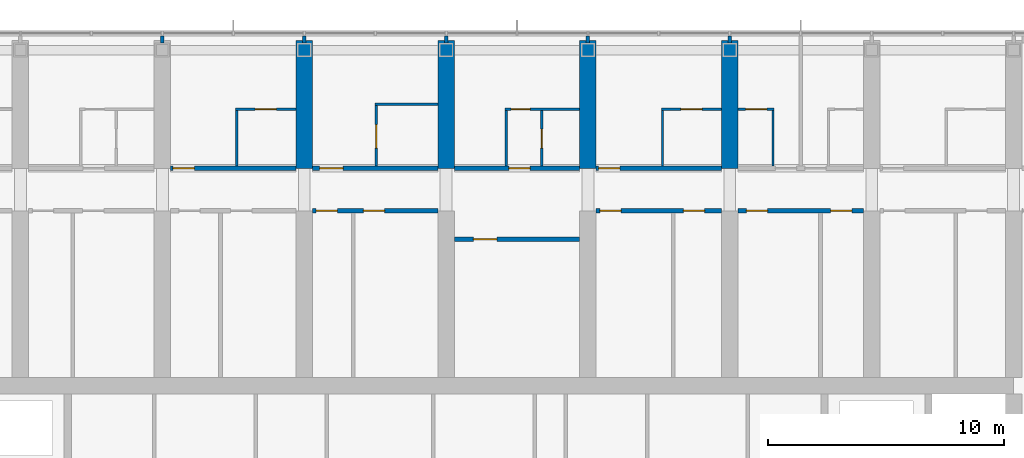
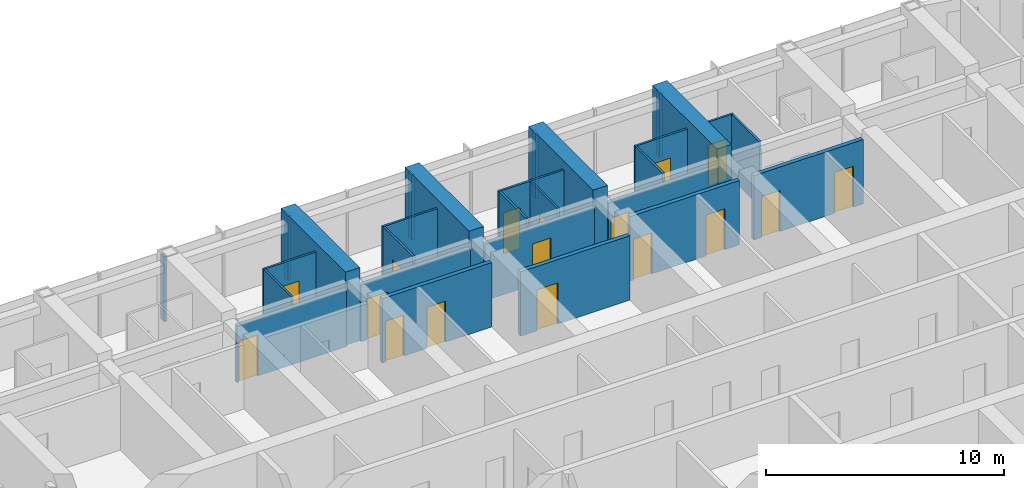
# One storey, part 16 of 23: 28 walls, 17 doors, 17 openings.
"""IFC4 building model written with IfcOpenShell, lengths in metres."""

from ifc_helpers import new_model, si_unit, direction, frame, frame_2d, origin, place, context, subcontext, project, spatial, polyline, rectangle, outline, extrude, material, layer, layer_set, type_object, element, fill, save


model = new_model("IFC4")

# Units and contexts
model_context = context("Model", 3, precision=1e-05, world=origin(), true_north=direction((0.0, 1.0)))
body_context = subcontext(model_context, "Body", "Model", "MODEL_VIEW")
ifc_project = project(units=[si_unit("LENGTHUNIT", "METRE"), si_unit("AREAUNIT", "SQUARE_METRE"), si_unit("VOLUMEUNIT", "CUBIC_METRE"), si_unit("PLANEANGLEUNIT", "RADIAN"), si_unit("MASSUNIT", "GRAM", prefix="KILO")], contexts=[model_context])

# Site, building, storey
site_placement = place(None, origin())
site = spatial("IfcSite", under=ifc_project, at=site_placement, CompositionType="ELEMENT")
building_placement = place(site_placement, origin())
building = spatial("IfcBuilding", under=site, at=building_placement, Name="Orbita Commons", CompositionType="ELEMENT")
storey_placement = place(building_placement, frame((0.0, 0.0, 212.800048828125)))
storey = spatial("IfcBuildingStorey", under=building, at=storey_placement, Name="L52", CompositionType="ELEMENT", Elevation=212.800048828125)

# Wall, opening, door
ifc_material_1 = material(Name="Concrete blockwork", Category="masonry")
ifc_layer_1 = layer(ifc_material_1, 0.199951171875)
ifc_layer_set_1 = layer_set([ifc_layer_1], Name="Concrete blockwork")
wall_type_1 = type_object("IfcWallType", Name="Corridor wall 200 blockwork", PredefinedType="SOLIDWALL", material=ifc_layer_set_1)
wall_1_placement = place(storey_placement, frame((30.35009765625, 47.39990234375, 0.0), z_axis=(0.0, 0.0, 1.0), x_axis=(1.0, 0.0, 0.0)))
wall_1 = element("IfcWall", 1, at=wall_1_placement, inside=storey, type_object=wall_type_1, Name="Corridor wall 200 blockwork L52", PredefinedType="SOLIDWALL", context=body_context, shape_type="SweptSolid", body=[
    extrude(outline(polyline([(0.0, 0.0), (5.2998046875, 0.0), (5.300048828125, 2.89990234375), (0.0, 2.89990234375), (0.0, 0.0)])), frame((0.0, 0.10009765625, 0.0), z_axis=(0.0, -1.0, 0.0), x_axis=(1.0, 0.0, 0.0)), (0.0, 0.0, 1.0), 0.199951171875),
])
opening_1_placement = place(wall_1_placement, frame((0.10009765625, 0.0, 0.0)))
opening_1 = element("IfcOpeningElement", 2, at=opening_1_placement, cuts=wall_1, Name="Opening D11", PredefinedType="OPENING", context=body_context, shape_type="SweptSolid", body=[
    extrude(rectangle(XDim=0.89990234375, YDim=2.10009765625, at=frame_2d((0.449951171875, 1.050048828125))), frame((0.0, 0.10986328125, 0.0), z_axis=(0.0, -1.0, 0.0), x_axis=(1.0, 0.0, 0.0)), (0.0, 0.0, 1.0), 0.219970703125),
])
ifc_material_2 = material(Name="Steel-faced fire door leaf", Category="steel")
door_type_1 = type_object("IfcDoorType", Name="Corridor door 20 min 900x2100", OperationType="SINGLE_SWING_LEFT", PredefinedType="DOOR", material=ifc_material_2)
door_1_placement = place(opening_1_placement, origin())
door_1 = element("IfcDoor", 3, at=door_1_placement, inside=storey, type_object=door_type_1, Name="Studio apartment with kitchenette L52-N04 door", OperationType="SINGLE_SWING_LEFT", OverallHeight=2.10009765625, OverallWidth=0.89990234375, PredefinedType="DOOR", context=body_context, shape_type="SweptSolid", body=[
    extrude(rectangle(XDim=0.89990234375, YDim=2.10009765625, at=frame_2d((0.449951171875, 1.050048828125))), frame((0.0, 0.02490234375, 0.0), z_axis=(0.0, -1.0, 0.0), x_axis=(1.0, 0.0, 0.0)), (0.0, 0.0, 1.0), 0.050048828125),
])
fill(opening_1, door_1)

wall_2_placement = place(storey_placement, frame((36.35009765625, 47.39990234375, 0.0), z_axis=(0.0, 0.0, 1.0), x_axis=(1.0, 0.0, 0.0)))
wall_2 = element("IfcWall", 4, at=wall_2_placement, inside=storey, type_object=wall_type_1, Name="Corridor wall 200 blockwork L52", PredefinedType="SOLIDWALL", context=body_context, shape_type="SweptSolid", body=[
    extrude(outline(polyline([(0.0, 0.0), (5.2998046875, 0.0), (5.300048828125, 2.89990234375), (0.0, 2.89990234375), (0.0, 0.0)])), frame((0.0, 0.10009765625, 0.0), z_axis=(0.0, -1.0, 0.0), x_axis=(1.0, 0.0, 0.0)), (0.0, 0.0, 1.0), 0.199951171875),
])
opening_2_placement = place(wall_2_placement, frame((0.300048828125, 0.0, 0.0)))
opening_2 = element("IfcOpeningElement", 5, at=opening_2_placement, cuts=wall_2, Name="Opening D06", PredefinedType="OPENING", context=body_context, shape_type="SweptSolid", body=[
    extrude(rectangle(XDim=1.0, YDim=2.10009765625, at=frame_2d((0.5, 1.050048828125))), frame((0.0, 0.10986328125, 0.0), z_axis=(0.0, -1.0, 0.0), x_axis=(1.0, 0.0, 0.0)), (0.0, 0.0, 1.0), 0.219970703125),
])
ifc_material_3 = material(Name="Steel-faced fire door leaf", Category="steel")
door_type_2 = type_object("IfcDoorType", Name="Corridor door 20 min 1000x2100", OperationType="SINGLE_SWING_LEFT", PredefinedType="DOOR", material=ifc_material_3)
door_2_placement = place(opening_2_placement, origin())
door_2 = element("IfcDoor", 6, at=door_2_placement, inside=storey, type_object=door_type_2, Name="Accessible bedroom L52-N06 door", OperationType="SINGLE_SWING_LEFT", OverallHeight=2.10009765625, OverallWidth=1.0, PredefinedType="DOOR", context=body_context, shape_type="SweptSolid", body=[
    extrude(rectangle(XDim=1.0, YDim=2.10009765625, at=frame_2d((0.5, 1.050048828125))), frame((0.0, 0.02490234375, 0.0), z_axis=(0.0, -1.0, 0.0), x_axis=(1.0, 0.0, 0.0)), (0.0, 0.0, 1.0), 0.050048828125),
])
fill(opening_2, door_2)

wall_3_placement = place(storey_placement, frame((42.35009765625, 47.39990234375, 0.0), z_axis=(0.0, 0.0, 1.0), x_axis=(1.0, 0.0, 0.0)))
wall_3 = element("IfcWall", 7, at=wall_3_placement, inside=storey, type_object=wall_type_1, Name="Corridor wall 200 blockwork L52", PredefinedType="SOLIDWALL", context=body_context, shape_type="SweptSolid", body=[
    extrude(outline(polyline([(0.0, 0.0), (5.2998046875, 0.0), (5.300048828125, 2.89990234375), (0.0, 2.89990234375), (0.0, 0.0)])), frame((0.0, 0.10009765625, 0.0), z_axis=(0.0, -1.0, 0.0), x_axis=(1.0, 0.0, 0.0)), (0.0, 0.0, 1.0), 0.199951171875),
])
opening_3_placement = place(wall_3_placement, frame((2.300048828125, 0.0, 0.0)))
opening_3 = element("IfcOpeningElement", 8, at=opening_3_placement, cuts=wall_3, Name="Opening D11", PredefinedType="OPENING", context=body_context, shape_type="SweptSolid", body=[
    extrude(rectangle(XDim=0.89990234375, YDim=2.10009765625, at=frame_2d((0.449951171875, 1.050048828125))), frame((0.0, 0.10986328125, 0.0), z_axis=(0.0, -1.0, 0.0), x_axis=(1.0, 0.0, 0.0)), (0.0, 0.0, 1.0), 0.219970703125),
])
door_3_placement = place(opening_3_placement, origin())
door_3 = element("IfcDoor", 9, at=door_3_placement, inside=storey, type_object=door_type_1, Name="Studio flat L52-N08 entrance door", OperationType="SINGLE_SWING_LEFT", OverallHeight=2.10009765625, OverallWidth=0.89990234375, PredefinedType="DOOR", context=body_context, shape_type="SweptSolid", body=[
    extrude(rectangle(XDim=0.89990234375, YDim=2.10009765625, at=frame_2d((0.449951171875, 1.050048828125))), frame((0.0, 0.02490234375, 0.0), z_axis=(0.0, -1.0, 0.0), x_axis=(1.0, 0.0, 0.0)), (0.0, 0.0, 1.0), 0.050048828125),
])
fill(opening_3, door_3)

wall_4_placement = place(storey_placement, frame((48.35009765625, 47.39990234375, 0.0), z_axis=(0.0, 0.0, 1.0), x_axis=(1.0, 0.0, 0.0)))
wall_4 = element("IfcWall", 10, at=wall_4_placement, inside=storey, type_object=wall_type_1, Name="Corridor wall 200 blockwork L52", PredefinedType="SOLIDWALL", context=body_context, shape_type="SweptSolid", body=[
    extrude(outline(polyline([(0.0, 0.0), (5.2998046875, 0.0), (5.300048828125, 2.89990234375), (0.0, 2.89990234375), (0.0, 0.0)])), frame((0.0, 0.10009765625, 0.0), z_axis=(0.0, -1.0, 0.0), x_axis=(1.0, 0.0, 0.0)), (0.0, 0.0, 1.0), 0.199951171875),
])
opening_4_placement = place(wall_4_placement, frame((0.10009765625, 0.0, 0.0)))
opening_4 = element("IfcOpeningElement", 11, at=opening_4_placement, cuts=wall_4, Name="Opening D11", PredefinedType="OPENING", context=body_context, shape_type="SweptSolid", body=[
    extrude(rectangle(XDim=0.89990234375, YDim=2.10009765625, at=frame_2d((0.449951171875, 1.050048828125))), frame((0.0, 0.10986328125, 0.0), z_axis=(0.0, -1.0, 0.0), x_axis=(1.0, 0.0, 0.0)), (0.0, 0.0, 1.0), 0.219970703125),
])
door_4_placement = place(opening_4_placement, origin())
door_4 = element("IfcDoor", 12, at=door_4_placement, inside=storey, type_object=door_type_1, Name="Studio apartment with kitchenette L52-N10 door", OperationType="SINGLE_SWING_LEFT", OverallHeight=2.10009765625, OverallWidth=0.89990234375, PredefinedType="DOOR", context=body_context, shape_type="SweptSolid", body=[
    extrude(rectangle(XDim=0.89990234375, YDim=2.10009765625, at=frame_2d((0.449951171875, 1.050048828125))), frame((0.0, 0.02490234375, 0.0), z_axis=(0.0, -1.0, 0.0), x_axis=(1.0, 0.0, 0.0)), (0.0, 0.0, 1.0), 0.050048828125),
])
fill(opening_4, door_4)

# Wall, openings, doors
ifc_material_4 = material(Name="Hollow concrete block 200", Category="concrete")
ifc_layer_2 = layer(ifc_material_4, 0.199951171875)
ifc_layer_set_2 = layer_set([ifc_layer_2], Name="Hollow concrete block 200")
wall_type_2 = type_object("IfcWallType", Name="Corridor wall 200 hollow concrete block", PredefinedType="SOLIDWALL", material=ifc_layer_set_2)
wall_5_placement = place(storey_placement, frame((36.35009765625, 45.60009765625, 0.0), z_axis=(0.0, 0.0, 1.0), x_axis=(1.0, 0.0, 0.0)))
wall_5 = element("IfcWall", 13, at=wall_5_placement, inside=storey, type_object=wall_type_2, Name="Corridor wall 200 hollow concrete block L52", PredefinedType="SOLIDWALL", context=body_context, shape_type="SweptSolid", body=[
    extrude(rectangle(XDim=5.2998046875, YDim=0.199951171875, at=frame_2d((2.64990234375, 0.0))), origin(), (0.0, 0.0, 1.0), 3.300048828125),
])
opening_5_placement = place(wall_5_placement, frame((0.14990234375, 0.0, 0.0)))
opening_5 = element("IfcOpeningElement", 14, at=opening_5_placement, cuts=wall_5, Name="Opening D11", PredefinedType="OPENING", context=body_context, shape_type="SweptSolid", body=[
    extrude(rectangle(XDim=0.89990234375, YDim=2.10009765625, at=frame_2d((0.449951171875, 1.050048828125))), frame((0.0, 0.10986328125, 0.0), z_axis=(0.0, -1.0, 0.0), x_axis=(1.0, 0.0, 0.0)), (0.0, 0.0, 1.0), 0.219970703125),
])
opening_6_placement = place(wall_5_placement, frame((2.14990234375, 0.0, 0.0)))
opening_6 = element("IfcOpeningElement", 15, at=opening_6_placement, cuts=wall_5, Name="Opening D11", PredefinedType="OPENING", context=body_context, shape_type="SweptSolid", body=[
    extrude(rectangle(XDim=0.89990234375, YDim=2.10009765625, at=frame_2d((0.449951171875, 1.050048828125))), frame((0.0, 0.10986328125, 0.0), z_axis=(0.0, -1.0, 0.0), x_axis=(1.0, 0.0, 0.0)), (0.0, 0.0, 1.0), 0.219970703125),
])
door_5_placement = place(opening_5_placement, origin())
door_5 = element("IfcDoor", 16, at=door_5_placement, inside=storey, type_object=door_type_1, Name="Equipment store L52-BDN36n door", OperationType="SINGLE_SWING_LEFT", OverallHeight=2.10009765625, OverallWidth=0.89990234375, PredefinedType="DOOR", context=body_context, shape_type="SweptSolid", body=[
    extrude(rectangle(XDim=0.89990234375, YDim=2.10009765625, at=frame_2d((0.449951171875, 1.050048828125))), frame((0.0, 0.02490234375, 0.0), z_axis=(0.0, -1.0, 0.0), x_axis=(1.0, 0.0, 0.0)), (0.0, 0.0, 1.0), 0.050048828125),
])
fill(opening_5, door_5)
door_6_placement = place(opening_6_placement, origin())
door_6 = element("IfcDoor", 17, at=door_6_placement, inside=storey, type_object=door_type_1, Name="Ventilation plant room north L52-BDN36 door", OperationType="SINGLE_SWING_LEFT", OverallHeight=2.10009765625, OverallWidth=0.89990234375, PredefinedType="DOOR", context=body_context, shape_type="SweptSolid", body=[
    extrude(rectangle(XDim=0.89990234375, YDim=2.10009765625, at=frame_2d((0.449951171875, 1.050048828125))), frame((0.0, 0.02490234375, 0.0), z_axis=(0.0, -1.0, 0.0), x_axis=(1.0, 0.0, 0.0)), (0.0, 0.0, 1.0), 0.050048828125),
])
fill(opening_6, door_6)

wall_6_placement = place(storey_placement, frame((48.35009765625, 45.60009765625, 0.0), z_axis=(0.0, 0.0, 1.0), x_axis=(1.0, 0.0, 0.0)))
wall_6 = element("IfcWall", 18, at=wall_6_placement, inside=storey, type_object=wall_type_2, Name="Corridor wall 200 hollow concrete block L52", PredefinedType="SOLIDWALL", context=body_context, shape_type="SweptSolid", body=[
    extrude(rectangle(XDim=5.2998046875, YDim=0.199951171875, at=frame_2d((2.64990234375, 0.0))), origin(), (0.0, 0.0, 1.0), 3.300048828125),
])
opening_7_placement = place(wall_6_placement, frame((0.14990234375, 0.0, 0.0)))
opening_7 = element("IfcOpeningElement", 19, at=opening_7_placement, cuts=wall_6, Name="Opening D11", PredefinedType="OPENING", context=body_context, shape_type="SweptSolid", body=[
    extrude(rectangle(XDim=0.89990234375, YDim=2.10009765625, at=frame_2d((0.449951171875, 1.050048828125))), frame((0.0, 0.10986328125, 0.0), z_axis=(0.0, -1.0, 0.0), x_axis=(1.0, 0.0, 0.0)), (0.0, 0.0, 1.0), 0.219970703125),
])
opening_8_placement = place(wall_6_placement, frame((3.68505859375, 0.0, 0.0)))
opening_8 = element("IfcOpeningElement", 20, at=opening_8_placement, cuts=wall_6, Name="Opening D11", PredefinedType="OPENING", context=body_context, shape_type="SweptSolid", body=[
    extrude(rectangle(XDim=0.89990234375, YDim=2.10009765625, at=frame_2d((0.449951171875, 1.050048828125))), frame((0.0, 0.10986328125, 0.0), z_axis=(0.0, -1.0, 0.0), x_axis=(1.0, 0.0, 0.0)), (0.0, 0.0, 1.0), 0.219970703125),
])
door_7_placement = place(opening_7_placement, origin())
door_7 = element("IfcDoor", 21, at=door_7_placement, inside=storey, type_object=door_type_1, Name="Refuse and recycling room L52-BDN48 door", OperationType="SINGLE_SWING_LEFT", OverallHeight=2.10009765625, OverallWidth=0.89990234375, PredefinedType="DOOR", context=body_context, shape_type="SweptSolid", body=[
    extrude(rectangle(XDim=0.89990234375, YDim=2.10009765625, at=frame_2d((0.449951171875, 1.050048828125))), frame((0.0, 0.02490234375, 0.0), z_axis=(0.0, -1.0, 0.0), x_axis=(1.0, 0.0, 0.0)), (0.0, 0.0, 1.0), 0.050048828125),
])
fill(opening_7, door_7)
door_8_placement = place(opening_8_placement, origin())
door_8 = element("IfcDoor", 22, at=door_8_placement, inside=storey, type_object=door_type_1, Name="Luggage store L52-BDN48n door", OperationType="SINGLE_SWING_LEFT", OverallHeight=2.10009765625, OverallWidth=0.89990234375, PredefinedType="DOOR", context=body_context, shape_type="SweptSolid", body=[
    extrude(rectangle(XDim=0.89990234375, YDim=2.10009765625, at=frame_2d((0.449951171875, 1.050048828125))), frame((0.0, 0.02490234375, 0.0), z_axis=(0.0, -1.0, 0.0), x_axis=(1.0, 0.0, 0.0)), (0.0, 0.0, 1.0), 0.050048828125),
])
fill(opening_8, door_8)

wall_7_placement = place(storey_placement, frame((54.35009765625, 45.60009765625, 0.0), z_axis=(0.0, 0.0, 1.0), x_axis=(1.0, 0.0, 0.0)))
wall_7 = element("IfcWall", 23, at=wall_7_placement, inside=storey, type_object=wall_type_2, Name="Corridor wall 200 hollow concrete block L52", PredefinedType="SOLIDWALL", context=body_context, shape_type="SweptSolid", body=[
    extrude(rectangle(XDim=5.2998046875, YDim=0.199951171875, at=frame_2d((2.64990234375, 0.0))), origin(), (0.0, 0.0, 1.0), 3.300048828125),
])
opening_9_placement = place(wall_7_placement, frame((0.35009765625, 0.0, 0.0)))
opening_9 = element("IfcOpeningElement", 24, at=opening_9_placement, cuts=wall_7, Name="Opening D11", PredefinedType="OPENING", context=body_context, shape_type="SweptSolid", body=[
    extrude(rectangle(XDim=0.89990234375, YDim=2.10009765625, at=frame_2d((0.449951171875, 1.050048828125))), frame((0.0, 0.10986328125, 0.0), z_axis=(0.0, -1.0, 0.0), x_axis=(1.0, 0.0, 0.0)), (0.0, 0.0, 1.0), 0.219970703125),
])
opening_10_placement = place(wall_7_placement, frame((3.909912109375, 0.0, 0.0)))
opening_10 = element("IfcOpeningElement", 25, at=opening_10_placement, cuts=wall_7, Name="Opening D11", PredefinedType="OPENING", context=body_context, shape_type="SweptSolid", body=[
    extrude(rectangle(XDim=0.89990234375, YDim=2.10009765625, at=frame_2d((0.449951171875, 1.050048828125))), frame((0.0, 0.10986328125, 0.0), z_axis=(0.0, -1.0, 0.0), x_axis=(1.0, 0.0, 0.0)), (0.0, 0.0, 1.0), 0.219970703125),
])
door_9_placement = place(opening_9_placement, origin())
door_9 = element("IfcDoor", 26, at=door_9_placement, inside=storey, type_object=door_type_1, Name="Bulk storage room L52-BDN54 door", OperationType="SINGLE_SWING_LEFT", OverallHeight=2.10009765625, OverallWidth=0.89990234375, PredefinedType="DOOR", context=body_context, shape_type="SweptSolid", body=[
    extrude(rectangle(XDim=0.89990234375, YDim=2.10009765625, at=frame_2d((0.449951171875, 1.050048828125))), frame((0.0, 0.02490234375, 0.0), z_axis=(0.0, -1.0, 0.0), x_axis=(1.0, 0.0, 0.0)), (0.0, 0.0, 1.0), 0.050048828125),
])
fill(opening_9, door_9)
door_10_placement = place(opening_10_placement, origin())
door_10 = element("IfcDoor", 27, at=door_10_placement, inside=storey, type_object=door_type_1, Name="Battery and UPS room L52-BDN54n door", OperationType="SINGLE_SWING_LEFT", OverallHeight=2.10009765625, OverallWidth=0.89990234375, PredefinedType="DOOR", context=body_context, shape_type="SweptSolid", body=[
    extrude(rectangle(XDim=0.89990234375, YDim=2.10009765625, at=frame_2d((0.449951171875, 1.050048828125))), frame((0.0, 0.02490234375, 0.0), z_axis=(0.0, -1.0, 0.0), x_axis=(1.0, 0.0, 0.0)), (0.0, 0.0, 1.0), 0.050048828125),
])
fill(opening_10, door_10)

# Wall, opening, door
wall_8_placement = place(storey_placement, frame((42.35009765625, 44.39990234375, 0.0), z_axis=(0.0, 0.0, 1.0), x_axis=(1.0, 0.0, 0.0)))
wall_8 = element("IfcWall", 28, at=wall_8_placement, inside=storey, type_object=wall_type_2, Name="Corridor wall 200 hollow concrete block L52", PredefinedType="SOLIDWALL", context=body_context, shape_type="SweptSolid", body=[
    extrude(rectangle(XDim=5.2998046875, YDim=0.199951171875, at=frame_2d((2.64990234375, 0.0))), origin(), (0.0, 0.0, 1.0), 3.300048828125),
])
opening_11_placement = place(wall_8_placement, frame((0.800048828125, 0.0, 0.0)))
opening_11 = element("IfcOpeningElement", 29, at=opening_11_placement, cuts=wall_8, Name="Opening D06", PredefinedType="OPENING", context=body_context, shape_type="SweptSolid", body=[
    extrude(rectangle(XDim=1.0, YDim=2.10009765625, at=frame_2d((0.5, 1.050048828125))), frame((0.0, 0.10986328125, 0.0), z_axis=(0.0, -1.0, 0.0), x_axis=(1.0, 0.0, 0.0)), (0.0, 0.0, 1.0), 0.219970703125),
])
door_11_placement = place(opening_11_placement, origin())
door_11 = element("IfcDoor", 30, at=door_11_placement, inside=storey, type_object=door_type_2, Name="Store L52-BDN42 door", OperationType="SINGLE_SWING_LEFT", OverallHeight=2.10009765625, OverallWidth=1.0, PredefinedType="DOOR", context=body_context, shape_type="SweptSolid", body=[
    extrude(rectangle(XDim=1.0, YDim=2.10009765625, at=frame_2d((0.5, 1.050048828125))), frame((0.0, 0.02490234375, 0.0), z_axis=(0.0, -1.0, 0.0), x_axis=(1.0, 0.0, 0.0)), (0.0, 0.0, 1.0), 0.050048828125),
])
fill(opening_11, door_11)

# Walls
ifc_material_5 = material(Name="Concrete C50/60", Category="concrete")
ifc_layer_3 = layer(ifc_material_5, 0.699951171875)
ifc_layer_set_3 = layer_set([ifc_layer_3], Name="Concrete C50/60")
wall_type_3 = type_object("IfcWallType", Name="Cross wall 700 C50/60", PredefinedType="SHEAR", material=ifc_layer_set_3)
for number, where, z_axis, x_axis, name in (
    (31, (36.0, 47.39990234375, 0.0), (0.0, 0.0, 1.0), (0.0, 1.0, 0.0), "Cross wall 7 north outer L52"),
    (32, (42.0, 47.39990234375, 0.0), (0.0, 0.0, 1.0), (0.0, 1.0, 0.0), "Cross wall 8 north outer L52"),
    (33, (48.0, 47.39990234375, 0.0), (0.0, 0.0, 1.0), (0.0, 1.0, 0.0), "Cross wall 9 north outer L52"),
    (34, (54.0, 47.39990234375, 0.0), (0.0, 0.0, 1.0), (0.0, 1.0, 0.0), "Cross wall 10 north outer L52"),
):
    element("IfcWall", number, at=place(storey_placement, frame(where, z_axis=z_axis, x_axis=x_axis)), inside=storey, type_object=wall_type_3, Name=name, PredefinedType="SHEAR", context=body_context, shape_type="SweptSolid", body=[
        extrude(rectangle(XDim=5.400146484375, YDim=0.699951171875, at=frame_2d((2.7001953125, 0.0))), origin(), (0.0, 0.0, 1.0), 3.75),
    ])

# Wall, opening, door
ifc_material_6 = material(Name="Moisture-resistant plasterboard on steel studs", Category="steel")
ifc_layer_4 = layer(ifc_material_6, 0.10009765625)
ifc_layer_set_4 = layer_set([ifc_layer_4], Name="Moisture-resistant plasterboard on steel studs")
wall_type_4 = type_object("IfcWallType", Name="En-suite partition 100", PredefinedType="PARTITIONING", material=ifc_layer_set_4)
wall_9_placement = place(storey_placement, frame((33.10009765625, 49.89990234375, 0.0), z_axis=(0.0, 0.0, 1.0), x_axis=(1.0, 0.0, 0.0)))
wall_9 = element("IfcWall", 35, at=wall_9_placement, inside=storey, type_object=wall_type_4, Name="En-suite partition 100 L52", PredefinedType="PARTITIONING", context=body_context, shape_type="SweptSolid", body=[
    extrude(rectangle(XDim=2.5498046875, YDim=0.10009765625, at=frame_2d((1.27490234375, 0.0))), origin(), (0.0, 0.0, 1.0), 3.300048828125),
])
opening_12_placement = place(wall_9_placement, frame((0.824951171875, 0.0, 0.0)))
opening_12 = element("IfcOpeningElement", 36, at=opening_12_placement, cuts=wall_9, Name="Opening D09", PredefinedType="OPENING", context=body_context, shape_type="SweptSolid", body=[
    extrude(rectangle(XDim=0.89990234375, YDim=2.10009765625, at=frame_2d((0.449951171875, 1.050048828125))), frame((0.0, 0.06005859375, 0.0), z_axis=(0.0, -1.0, 0.0), x_axis=(1.0, 0.0, 0.0)), (0.0, 0.0, 1.0), 0.1201171875),
])
ifc_material_7 = material(Name="Laminated timber door leaf", Category="wood")
door_type_3 = type_object("IfcDoorType", Name="En-suite door 900x2100", OperationType="SINGLE_SWING_RIGHT", PredefinedType="DOOR", material=ifc_material_7)
door_12_placement = place(opening_12_placement, origin())
door_12 = element("IfcDoor", 37, at=door_12_placement, inside=storey, type_object=door_type_3, Name="En-suite L52-N04 door", OperationType="SINGLE_SWING_RIGHT", OverallHeight=2.10009765625, OverallWidth=0.89990234375, PredefinedType="DOOR", context=body_context, shape_type="SweptSolid", body=[
    extrude(rectangle(XDim=0.89990234375, YDim=2.10009765625, at=frame_2d((0.449951171875, 1.050048828125))), frame((0.0, 0.02490234375, 0.0), z_axis=(0.0, -1.0, 0.0), x_axis=(1.0, 0.0, 0.0)), (0.0, 0.0, 1.0), 0.050048828125),
])
fill(opening_12, door_12)

# Walls
wall_10_placement = place(storey_placement, frame((33.14990234375, 49.85009765625, 0.0), z_axis=(0.0, 0.0, 1.0), x_axis=(0.0, -1.0, 0.0)))
element("IfcWall", 38, at=wall_10_placement, inside=storey, type_object=wall_type_4, Name="En-suite partition 100 L52", PredefinedType="PARTITIONING", context=body_context, shape_type="SweptSolid", body=[
    extrude(outline(polyline([(0.0, 0.0), (2.35009765625, 0.0), (2.35009765625, 2.89990234375), (2.302001953125, 2.89990234375), (2.300048828125, 3.300048828125), (0.0, 3.300048828125), (0.0, 0.0)])), frame((0.0, 0.050048828125, 0.0), z_axis=(0.0, -1.0, 0.0), x_axis=(1.0, 0.0, 0.0)), (0.0, 0.0, 1.0), 0.10009765625),
])
wall_11_placement = place(storey_placement, frame((39.0, 50.10009765625, 0.0), z_axis=(0.0, 0.0, 1.0), x_axis=(1.0, 0.0, 0.0)))
element("IfcWall", 39, at=wall_11_placement, inside=storey, type_object=wall_type_4, Name="En-suite partition 100 L52", PredefinedType="PARTITIONING", context=body_context, shape_type="SweptSolid", body=[
    extrude(rectangle(XDim=2.64990234375, YDim=0.10009765625, at=frame_2d((1.324951171875, 0.0))), origin(), (0.0, 0.0, 1.0), 3.300048828125),
])

# Wall, opening, door
wall_12_placement = place(storey_placement, frame((39.050048828125, 50.050048828125, 0.0), z_axis=(0.0, 0.0, 1.0), x_axis=(0.0, -1.0, 0.0)))
wall_12 = element("IfcWall", 40, at=wall_12_placement, inside=storey, type_object=wall_type_4, Name="En-suite partition 100 L52", PredefinedType="PARTITIONING", context=body_context, shape_type="SweptSolid", body=[
    extrude(outline(polyline([(0.0, 0.0), (2.550048828125, 0.0), (2.550048828125, 2.89990234375), (2.501953125, 2.89990234375), (2.5, 3.300048828125), (0.0, 3.300048828125), (0.0, 0.0)])), frame((0.0, 0.050048828125, 0.0), z_axis=(0.0, -1.0, 0.0), x_axis=(1.0, 0.0, 0.0)), (0.0, 0.0, 1.0), 0.10009765625),
])
opening_13_placement = place(wall_12_placement, frame((0.800048828125, 0.0, 0.0)))
opening_13 = element("IfcOpeningElement", 41, at=opening_13_placement, cuts=wall_12, Name="Opening D13", PredefinedType="OPENING", context=body_context, shape_type="SweptSolid", body=[
    extrude(rectangle(XDim=1.0, YDim=2.10009765625, at=frame_2d((0.5, 1.050048828125))), frame((0.0, 0.06005859375, 0.0), z_axis=(0.0, -1.0, 0.0), x_axis=(1.0, 0.0, 0.0)), (0.0, 0.0, 1.0), 0.1201171875),
])
ifc_material_8 = material(Name="Laminated timber door leaf", Category="wood")
door_type_4 = type_object("IfcDoorType", Name="En-suite door 1000x2100", OperationType="SINGLE_SWING_RIGHT", PredefinedType="DOOR", material=ifc_material_8)
door_13_placement = place(opening_13_placement, origin())
door_13 = element("IfcDoor", 42, at=door_13_placement, inside=storey, type_object=door_type_4, Name="Accessible shower room L52-N06 door", OperationType="SINGLE_SWING_RIGHT", OverallHeight=2.10009765625, OverallWidth=1.0, PredefinedType="DOOR", context=body_context, shape_type="SweptSolid", body=[
    extrude(rectangle(XDim=1.0, YDim=2.10009765625, at=frame_2d((0.5, 1.050048828125))), frame((0.0, 0.02490234375, 0.0), z_axis=(0.0, -1.0, 0.0), x_axis=(1.0, 0.0, 0.0)), (0.0, 0.0, 1.0), 0.050048828125),
])
fill(opening_13, door_13)

wall_13_placement = place(storey_placement, frame((44.5, 49.89990234375, 0.0), z_axis=(0.0, 0.0, 1.0), x_axis=(1.0, 0.0, 0.0)))
wall_13 = element("IfcWall", 43, at=wall_13_placement, inside=storey, type_object=wall_type_4, Name="En-suite partition 100 L52", PredefinedType="PARTITIONING", context=body_context, shape_type="SweptSolid", body=[
    extrude(rectangle(XDim=3.14990234375, YDim=0.10009765625, at=frame_2d((1.574951171875, 0.0))), origin(), (0.0, 0.0, 1.0), 3.300048828125),
])
opening_14_placement = place(wall_13_placement, frame((0.25, 0.0, 0.0)))
opening_14 = element("IfcOpeningElement", 44, at=opening_14_placement, cuts=wall_13, Name="Opening D16", PredefinedType="OPENING", context=body_context, shape_type="SweptSolid", body=[
    extrude(rectangle(XDim=0.800048828125, YDim=2.10009765625, at=frame_2d((0.39990234375, 1.050048828125))), frame((0.0, 0.06005859375, 0.0), z_axis=(0.0, -1.0, 0.0), x_axis=(1.0, 0.0, 0.0)), (0.0, 0.0, 1.0), 0.1201171875),
])
ifc_material_9 = material(Name="Laminated timber door leaf", Category="wood")
door_type_5 = type_object("IfcDoorType", Name="En-suite door 800x2100", OperationType="SINGLE_SWING_RIGHT", PredefinedType="DOOR", material=ifc_material_9)
door_14_placement = place(opening_14_placement, origin())
door_14 = element("IfcDoor", 45, at=door_14_placement, inside=storey, type_object=door_type_5, Name="Studio flat L52-N08 door", OperationType="SINGLE_SWING_RIGHT", OverallHeight=2.10009765625, OverallWidth=0.800048828125, PredefinedType="DOOR", context=body_context, shape_type="SweptSolid", body=[
    extrude(rectangle(XDim=0.800048828125, YDim=2.10009765625, at=frame_2d((0.39990234375, 1.050048828125))), frame((0.0, 0.02490234375, 0.0), z_axis=(0.0, -1.0, 0.0), x_axis=(1.0, 0.0, 0.0)), (0.0, 0.0, 1.0), 0.050048828125),
])
fill(opening_14, door_14)

# Wall
wall_14_placement = place(storey_placement, frame((44.550048828125, 49.85009765625, 0.0), z_axis=(0.0, 0.0, 1.0), x_axis=(0.0, -1.0, 0.0)))
element("IfcWall", 46, at=wall_14_placement, inside=storey, type_object=wall_type_4, Name="En-suite partition 100 L52", PredefinedType="PARTITIONING", context=body_context, shape_type="SweptSolid", body=[
    extrude(outline(polyline([(0.0, 0.0), (2.35009765625, 0.0), (2.35009765625, 2.89990234375), (2.302001953125, 2.89990234375), (2.300048828125, 3.300048828125), (0.0, 3.300048828125), (0.0, 0.0)])), frame((0.0, 0.050048828125, 0.0), z_axis=(0.0, -1.0, 0.0), x_axis=(1.0, 0.0, 0.0)), (0.0, 0.0, 1.0), 0.10009765625),
])

# Wall, opening, door
wall_15_placement = place(storey_placement, frame((46.050048828125, 49.85009765625, 0.0), z_axis=(0.0, 0.0, 1.0), x_axis=(0.0, -1.0, 0.0)))
wall_15 = element("IfcWall", 47, at=wall_15_placement, inside=storey, type_object=wall_type_4, Name="En-suite partition 100 L52", PredefinedType="PARTITIONING", context=body_context, shape_type="SweptSolid", body=[
    extrude(outline(polyline([(0.0, 0.0), (2.35009765625, 0.0), (2.35009765625, 2.89990234375), (2.302001953125, 2.89990234375), (2.300048828125, 3.300048828125), (0.0, 3.300048828125), (0.0, 0.0)])), frame((0.0, 0.050048828125, 0.0), z_axis=(0.0, -1.0, 0.0), x_axis=(1.0, 0.0, 0.0)), (0.0, 0.0, 1.0), 0.10009765625),
])
opening_15_placement = place(wall_15_placement, frame((0.800048828125, 0.0, 0.0)))
opening_15 = element("IfcOpeningElement", 48, at=opening_15_placement, cuts=wall_15, Name="Opening D16", PredefinedType="OPENING", context=body_context, shape_type="SweptSolid", body=[
    extrude(rectangle(XDim=0.800048828125, YDim=2.10009765625, at=frame_2d((0.39990234375, 1.050048828125))), frame((0.0, 0.06005859375, 0.0), z_axis=(0.0, -1.0, 0.0), x_axis=(1.0, 0.0, 0.0)), (0.0, 0.0, 1.0), 0.1201171875),
])
door_15_placement = place(opening_15_placement, origin())
door_15 = element("IfcDoor", 49, at=door_15_placement, inside=storey, type_object=door_type_5, Name="Studio flat shower room L52-N08 door", OperationType="SINGLE_SWING_RIGHT", OverallHeight=2.10009765625, OverallWidth=0.800048828125, PredefinedType="DOOR", context=body_context, shape_type="SweptSolid", body=[
    extrude(rectangle(XDim=0.800048828125, YDim=2.10009765625, at=frame_2d((0.39990234375, 1.050048828125))), frame((0.0, 0.02490234375, 0.0), z_axis=(0.0, -1.0, 0.0), x_axis=(1.0, 0.0, 0.0)), (0.0, 0.0, 1.0), 0.050048828125),
])
fill(opening_15, door_15)

wall_16_placement = place(storey_placement, frame((51.10009765625, 49.89990234375, 0.0), z_axis=(0.0, 0.0, 1.0), x_axis=(1.0, 0.0, 0.0)))
wall_16 = element("IfcWall", 50, at=wall_16_placement, inside=storey, type_object=wall_type_4, Name="En-suite partition 100 L52", PredefinedType="PARTITIONING", context=body_context, shape_type="SweptSolid", body=[
    extrude(rectangle(XDim=2.5498046875, YDim=0.10009765625, at=frame_2d((1.27490234375, 0.0))), origin(), (0.0, 0.0, 1.0), 3.300048828125),
])
opening_16_placement = place(wall_16_placement, frame((0.824951171875, 0.0, 0.0)))
opening_16 = element("IfcOpeningElement", 51, at=opening_16_placement, cuts=wall_16, Name="Opening D09", PredefinedType="OPENING", context=body_context, shape_type="SweptSolid", body=[
    extrude(rectangle(XDim=0.89990234375, YDim=2.10009765625, at=frame_2d((0.449951171875, 1.050048828125))), frame((0.0, 0.06005859375, 0.0), z_axis=(0.0, -1.0, 0.0), x_axis=(1.0, 0.0, 0.0)), (0.0, 0.0, 1.0), 0.1201171875),
])
door_16_placement = place(opening_16_placement, origin())
door_16 = element("IfcDoor", 52, at=door_16_placement, inside=storey, type_object=door_type_3, Name="En-suite L52-N10 door", OperationType="SINGLE_SWING_RIGHT", OverallHeight=2.10009765625, OverallWidth=0.89990234375, PredefinedType="DOOR", context=body_context, shape_type="SweptSolid", body=[
    extrude(rectangle(XDim=0.89990234375, YDim=2.10009765625, at=frame_2d((0.449951171875, 1.050048828125))), frame((0.0, 0.02490234375, 0.0), z_axis=(0.0, -1.0, 0.0), x_axis=(1.0, 0.0, 0.0)), (0.0, 0.0, 1.0), 0.050048828125),
])
fill(opening_16, door_16)

# Wall
wall_17_placement = place(storey_placement, frame((51.14990234375, 49.85009765625, 0.0), z_axis=(0.0, 0.0, 1.0), x_axis=(0.0, -1.0, 0.0)))
element("IfcWall", 53, at=wall_17_placement, inside=storey, type_object=wall_type_4, Name="En-suite partition 100 L52", PredefinedType="PARTITIONING", context=body_context, shape_type="SweptSolid", body=[
    extrude(outline(polyline([(0.0, 0.0), (2.35009765625, 0.0), (2.35009765625, 2.89990234375), (2.302001953125, 2.89990234375), (2.300048828125, 3.300048828125), (0.0, 3.300048828125), (0.0, 0.0)])), frame((0.0, 0.050048828125, 0.0), z_axis=(0.0, -1.0, 0.0), x_axis=(1.0, 0.0, 0.0)), (0.0, 0.0, 1.0), 0.10009765625),
])

# Wall, opening, door
wall_18_placement = place(storey_placement, frame((54.35009765625, 49.89990234375, 0.0), z_axis=(0.0, 0.0, 1.0), x_axis=(1.0, 0.0, 0.0)))
wall_18 = element("IfcWall", 54, at=wall_18_placement, inside=storey, type_object=wall_type_4, Name="En-suite partition 100 L52", PredefinedType="PARTITIONING", context=body_context, shape_type="SweptSolid", body=[
    extrude(rectangle(XDim=1.52490234375, YDim=0.10009765625, at=frame_2d((0.762451171875, 0.0))), origin(), (0.0, 0.0, 1.0), 3.300048828125),
])
opening_17_placement = place(wall_18_placement, frame((0.3125, 0.0, 0.0)))
opening_17 = element("IfcOpeningElement", 55, at=opening_17_placement, cuts=wall_18, Name="Opening D09", PredefinedType="OPENING", context=body_context, shape_type="SweptSolid", body=[
    extrude(rectangle(XDim=0.89990234375, YDim=2.10009765625, at=frame_2d((0.449951171875, 1.050048828125))), frame((0.0, 0.06005859375, 0.0), z_axis=(0.0, -1.0, 0.0), x_axis=(1.0, 0.0, 0.0)), (0.0, 0.0, 1.0), 0.1201171875),
])
door_17_placement = place(opening_17_placement, origin())
door_17 = element("IfcDoor", 56, at=door_17_placement, inside=storey, type_object=door_type_3, Name="En-suite L52-N12 door", OperationType="SINGLE_SWING_RIGHT", OverallHeight=2.10009765625, OverallWidth=0.89990234375, PredefinedType="DOOR", context=body_context, shape_type="SweptSolid", body=[
    extrude(rectangle(XDim=0.89990234375, YDim=2.10009765625, at=frame_2d((0.449951171875, 1.050048828125))), frame((0.0, 0.02490234375, 0.0), z_axis=(0.0, -1.0, 0.0), x_axis=(1.0, 0.0, 0.0)), (0.0, 0.0, 1.0), 0.050048828125),
])
fill(opening_17, door_17)

# Walls
wall_19_placement = place(storey_placement, frame((55.824951171875, 49.85009765625, 0.0), z_axis=(0.0, 0.0, 1.0), x_axis=(0.0, -1.0, 0.0)))
element("IfcWall", 57, at=wall_19_placement, inside=storey, type_object=wall_type_4, Name="En-suite partition 100 L52", PredefinedType="PARTITIONING", context=body_context, shape_type="SweptSolid", body=[
    extrude(outline(polyline([(0.0, 0.0), (2.35009765625, 0.0), (2.35009765625, 2.89990234375), (2.302001953125, 2.89990234375), (2.300048828125, 3.300048828125), (0.0, 3.300048828125), (0.0, 0.0)])), frame((0.0, 0.050048828125, 0.0), z_axis=(0.0, -1.0, 0.0), x_axis=(1.0, 0.0, 0.0)), (0.0, 0.0, 1.0), 0.10009765625),
])
ifc_material_10 = material(Name="Gypsum plasterboard on steel studs", Category="steel")
ifc_layer_5 = layer(ifc_material_10, 0.14990234375)
ifc_layer_set_5 = layer_set([ifc_layer_5], Name="Gypsum plasterboard on steel studs")
wall_type_5 = type_object("IfcWallType", Name="Partition 150 plasterboard", PredefinedType="PARTITIONING", material=ifc_layer_set_5)
for number, where, z_axis, x_axis, name in (
    (58, (30.0, 52.699951171875, 0.0), (0.0, 0.0, 1.0), (0.0, 1.0, 0.0), "Partition 150 plasterboard L52"),
    (59, (36.0, 52.699951171875, 0.0), (0.0, 0.0, 1.0), (0.0, 1.0, 0.0), "Partition 150 plasterboard L52"),
    (60, (42.0, 52.699951171875, 0.0), (0.0, 0.0, 1.0), (0.0, 1.0, 0.0), "Partition 150 plasterboard L52"),
    (61, (48.0, 52.699951171875, 0.0), (0.0, 0.0, 1.0), (0.0, 1.0, 0.0), "Partition 150 plasterboard L52"),
    (62, (54.0, 52.699951171875, 0.0), (0.0, 0.0, 1.0), (0.0, 1.0, 0.0), "Partition 150 plasterboard L52"),
):
    element("IfcWall", number, at=place(storey_placement, frame(where, z_axis=z_axis, x_axis=x_axis)), inside=storey, type_object=wall_type_5, Name=name, PredefinedType="PARTITIONING", context=body_context, shape_type="SweptSolid", body=[
        extrude(rectangle(XDim=0.2900390625, YDim=0.14990234375, at=frame_2d((0.14501953125, 0.0))), origin(), (0.0, 0.0, 1.0), 3.300048828125),
    ])

save(model, "model.ifc")
